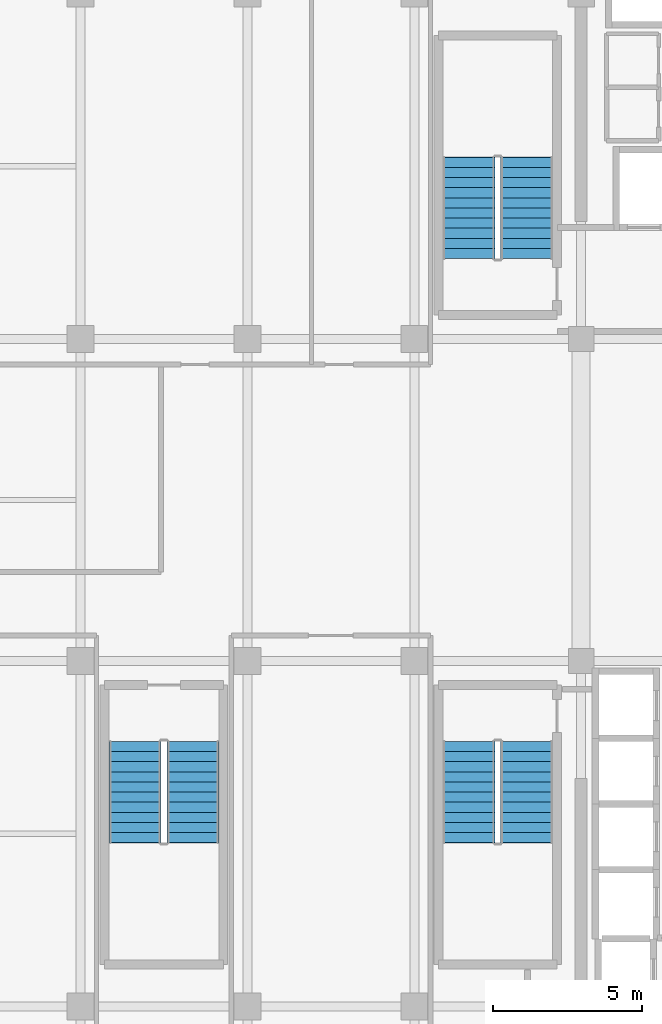
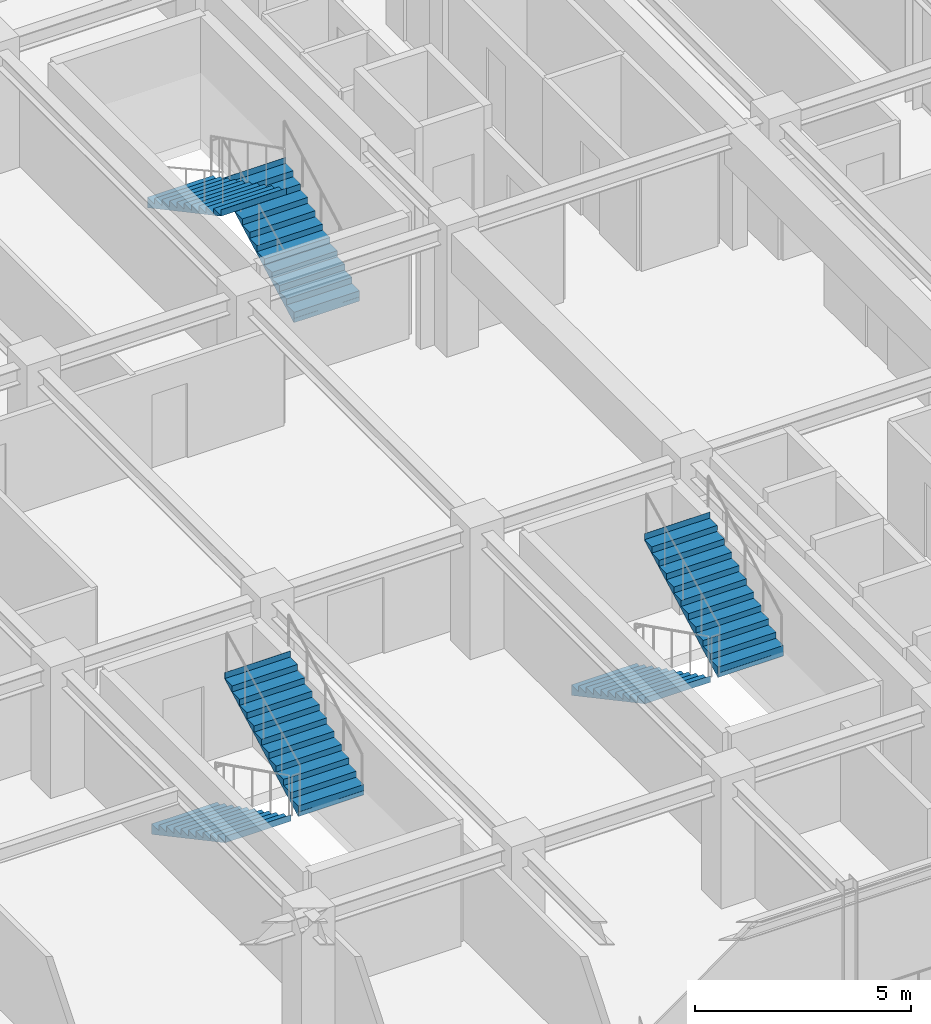
# One storey, part 27 of 32: 6 stair flights, 3 elements without a shape of their own.
"""IFC4 building model written with IfcOpenShell, lengths in metres."""

from ifc_helpers import new_model, si_unit, direction, frame, origin, place, context, subcontext, project, spatial, polyline, outline, extrude, source, transform, mapped, material, layer, layer_set, type_object, element, aggregate, save


model = new_model("IFC4")

# Units and contexts
model_context = context("Model", 3, precision=1e-05, world=origin(), true_north=direction((0.0, 1.0)))
body_context = subcontext(model_context, "Body", "Model", "MODEL_VIEW")
ifc_project = project(units=[si_unit("LENGTHUNIT", "METRE"), si_unit("AREAUNIT", "SQUARE_METRE"), si_unit("VOLUMEUNIT", "CUBIC_METRE"), si_unit("PLANEANGLEUNIT", "RADIAN"), si_unit("MASSUNIT", "GRAM", prefix="KILO")], contexts=[model_context])

# Site, building, storey
site_placement = place(None, origin())
site = spatial("IfcSite", under=ifc_project, at=site_placement, CompositionType="ELEMENT")
building_placement = place(site_placement, origin())
building = spatial("IfcBuilding", under=site, at=building_placement, Name="Nahalor Promenade Grand Hotel", CompositionType="ELEMENT")
storey_placement = place(building_placement, frame((0.0, 0.0, 266.300048828125)))
storey = spatial("IfcBuildingStorey", under=building, at=storey_placement, Name="L68", CompositionType="ELEMENT", Elevation=266.300048828125)

# Stair, stair flights
ifc_material = material(Name="Concrete B-50 (C40/50)", Category="concrete")
stair_type_1 = type_object("IfcStairType", Name="Stair-ST1", PredefinedType="HALF_TURN_STAIR", material=ifc_material)
stair_1_placement = place(storey_placement, origin())
stair_1 = element("IfcStair", 1, at=stair_1_placement, inside=storey, type_object=stair_type_1, Name="L68 ST1", PredefinedType="HALF_TURN_STAIR")
ifc_layer_1 = layer(ifc_material, 0.179931640625)
ifc_layer_set_1 = layer_set([ifc_layer_1], Name="Concrete B-50 (C40/50)")
stair_flight_type_1 = type_object("IfcStairFlightType", Name="Flight-ST1", PredefinedType="STRAIGHT", material=ifc_layer_set_1)
shared_shape_1 = source(origin(), body_context, "Body", "SweptSolid", [
    extrude(outline(polyline([(-0.00390625, -0.1201171875), (-0.00390625, 0.0), (0.0, 0.0), (0.0, 0.17041015625), (0.340087890625, 0.17041015625), (0.340087890625, 0.3408203125), (0.679931640625, 0.3408203125), (0.679931640625, 0.511474609375), (1.02001953125, 0.511474609375), (1.02001953125, 0.681884765625), (1.360107421875, 0.681884765625), (1.360107421875, 0.852294921875), (1.699951171875, 0.852294921875), (1.699951171875, 1.022705078125), (2.0400390625, 1.022705078125), (2.0400390625, 1.193115234375), (2.3798828125, 1.193115234375), (2.3798828125, 1.363525390625), (2.719970703125, 1.363525390625), (2.719970703125, 1.5341796875), (3.06005859375, 1.5341796875), (3.06005859375, 1.70458984375), (3.39990234375, 1.70458984375), (3.39990234375, 1.875), (3.404052734375, 1.875), (3.404052734375, 1.695068359375), (0.02001953125, -0.1201171875), (-0.00390625, -0.1201171875)])), frame((0.0, 0.875, 0.0), z_axis=(0.0, -1.0, 0.0), x_axis=(1.0, 0.0, 0.0)), (0.0, 0.0, 1.0), 1.75),
])
stair_flight_1_placement = place(storey_placement, frame((6.574951171875, 8.10009765625, 0.0), z_axis=(0.0, 0.0, 1.0), x_axis=(0.0, 1.0, 0.0)))
stair_flight_1 = element("IfcStairFlight", 2, at=stair_flight_1_placement, type_object=stair_flight_type_1, Name="ST1 flight 1", NumberOfRisers=11, NumberOfTreads=10, PredefinedType="STRAIGHT", RiserHeight=0.170454545, TreadLength=0.34, context=body_context, shape_type="MappedRepresentation", body=[
    mapped(shared_shape_1, transform((0.0, 0.0, 0.0), scale=1.0)),
])
stair_flight_2_placement = place(storey_placement, frame((4.625, 11.5, 1.875), z_axis=(0.0, 0.0, 1.0), x_axis=(0.0, -1.0, 0.0)))
stair_flight_2 = element("IfcStairFlight", 3, at=stair_flight_2_placement, type_object=stair_flight_type_1, Name="ST1 flight 2", NumberOfRisers=11, NumberOfTreads=10, PredefinedType="STRAIGHT", RiserHeight=0.170454545, TreadLength=0.34, context=body_context, shape_type="MappedRepresentation", body=[
    mapped(shared_shape_1, transform((0.0, 0.0, 0.0), scale=1.0)),
])
aggregate(stair_1, [stair_flight_1, stair_flight_2])

stair_type_2 = type_object("IfcStairType", Name="Stair-ST2", PredefinedType="HALF_TURN_STAIR", material=ifc_material)
stair_2_placement = place(storey_placement, origin())
stair_2 = element("IfcStair", 4, at=stair_2_placement, inside=storey, type_object=stair_type_2, Name="L68 ST2", PredefinedType="HALF_TURN_STAIR")
ifc_layer_2 = layer(ifc_material, 0.18994140625)
ifc_layer_set_2 = layer_set([ifc_layer_2], Name="Concrete B-50 (C40/50)")
stair_flight_type_2 = type_object("IfcStairFlightType", Name="Flight-ST2", PredefinedType="STRAIGHT", material=ifc_layer_set_2)
shared_shape_2 = source(origin(), body_context, "Body", "SweptSolid", [
    extrude(outline(polyline([(-0.00390625, -0.1201171875), (-0.00390625, 0.0), (0.0, 0.0), (0.0, 0.17041015625), (0.340087890625, 0.17041015625), (0.340087890625, 0.3408203125), (0.679931640625, 0.3408203125), (0.679931640625, 0.511474609375), (1.02001953125, 0.511474609375), (1.02001953125, 0.681884765625), (1.360107421875, 0.681884765625), (1.360107421875, 0.852294921875), (1.699951171875, 0.852294921875), (1.699951171875, 1.022705078125), (2.0400390625, 1.022705078125), (2.0400390625, 1.193115234375), (2.3798828125, 1.193115234375), (2.3798828125, 1.363525390625), (2.719970703125, 1.363525390625), (2.719970703125, 1.5341796875), (3.06005859375, 1.5341796875), (3.06005859375, 1.70458984375), (3.39990234375, 1.70458984375), (3.39990234375, 1.875), (3.404052734375, 1.875), (3.404052734375, 1.695068359375), (0.02001953125, -0.1201171875), (-0.00390625, -0.1201171875)])), frame((0.0, 0.875, 0.0), z_axis=(0.0, -1.0, 0.0), x_axis=(1.0, 0.0, 0.0)), (0.0, 0.0, 1.0), 1.75),
])
stair_flight_3_placement = place(storey_placement, frame((4.625, -8.10009765625, 0.0), z_axis=(0.0, 0.0, 1.0), x_axis=(0.0, -1.0, 0.0)))
stair_flight_3 = element("IfcStairFlight", 5, at=stair_flight_3_placement, type_object=stair_flight_type_2, Name="ST2 flight 1", NumberOfRisers=11, NumberOfTreads=10, PredefinedType="STRAIGHT", RiserHeight=0.170454545, TreadLength=0.34, context=body_context, shape_type="MappedRepresentation", body=[
    mapped(shared_shape_2, transform((0.0, 0.0, 0.0), scale=1.0)),
])
stair_flight_4_placement = place(storey_placement, frame((6.574951171875, -11.5, 1.875), z_axis=(0.0, 0.0, 1.0), x_axis=(0.0, 1.0, 0.0)))
stair_flight_4 = element("IfcStairFlight", 6, at=stair_flight_4_placement, type_object=stair_flight_type_2, Name="ST2 flight 2", NumberOfRisers=11, NumberOfTreads=10, PredefinedType="STRAIGHT", RiserHeight=0.170454545, TreadLength=0.34, context=body_context, shape_type="MappedRepresentation", body=[
    mapped(shared_shape_2, transform((0.0, 0.0, 0.0), scale=1.0)),
])
aggregate(stair_2, [stair_flight_3, stair_flight_4])

stair_type_3 = type_object("IfcStairType", Name="Stair-ST3", PredefinedType="HALF_TURN_STAIR", material=ifc_material)
stair_3_placement = place(storey_placement, origin())
stair_3 = element("IfcStair", 7, at=stair_3_placement, inside=storey, type_object=stair_type_3, Name="L68 ST3", PredefinedType="HALF_TURN_STAIR")
ifc_layer_3 = layer(ifc_material, 0.199951171875)
ifc_layer_set_3 = layer_set([ifc_layer_3], Name="Concrete B-50 (C40/50)")
stair_flight_type_3 = type_object("IfcStairFlightType", Name="Flight-ST3", PredefinedType="STRAIGHT", material=ifc_layer_set_3)
shared_shape_3 = source(origin(), body_context, "Body", "SweptSolid", [
    extrude(outline(polyline([(-0.00390625, -0.1201171875), (-0.00390625, 0.0), (0.0, 0.0), (0.0, 0.17041015625), (0.340087890625, 0.17041015625), (0.340087890625, 0.3408203125), (0.679931640625, 0.3408203125), (0.679931640625, 0.511474609375), (1.02001953125, 0.511474609375), (1.02001953125, 0.681884765625), (1.360107421875, 0.681884765625), (1.360107421875, 0.852294921875), (1.699951171875, 0.852294921875), (1.699951171875, 1.022705078125), (2.0400390625, 1.022705078125), (2.0400390625, 1.193115234375), (2.3798828125, 1.193115234375), (2.3798828125, 1.363525390625), (2.719970703125, 1.363525390625), (2.719970703125, 1.5341796875), (3.06005859375, 1.5341796875), (3.06005859375, 1.70458984375), (3.39990234375, 1.70458984375), (3.39990234375, 1.875), (3.404052734375, 1.875), (3.404052734375, 1.695068359375), (0.02001953125, -0.1201171875), (-0.00390625, -0.1201171875)])), frame((0.0, 0.875, 0.0), z_axis=(0.0, -1.0, 0.0), x_axis=(1.0, 0.0, 0.0)), (0.0, 0.0, 1.0), 1.75),
])
stair_flight_5_placement = place(storey_placement, frame((-6.574951171875, -8.10009765625, 0.0), z_axis=(0.0, 0.0, 1.0), x_axis=(0.0, -1.0, 0.0)))
stair_flight_5 = element("IfcStairFlight", 8, at=stair_flight_5_placement, type_object=stair_flight_type_3, Name="ST3 flight 1", NumberOfRisers=11, NumberOfTreads=10, PredefinedType="STRAIGHT", RiserHeight=0.170454545, TreadLength=0.34, context=body_context, shape_type="MappedRepresentation", body=[
    mapped(shared_shape_3, transform((0.0, 0.0, 0.0), scale=1.0)),
])
stair_flight_6_placement = place(storey_placement, frame((-4.625, -11.5, 1.875), z_axis=(0.0, 0.0, 1.0), x_axis=(0.0, 1.0, 0.0)))
stair_flight_6 = element("IfcStairFlight", 9, at=stair_flight_6_placement, type_object=stair_flight_type_3, Name="ST3 flight 2", NumberOfRisers=11, NumberOfTreads=10, PredefinedType="STRAIGHT", RiserHeight=0.170454545, TreadLength=0.34, context=body_context, shape_type="MappedRepresentation", body=[
    mapped(shared_shape_3, transform((0.0, 0.0, 0.0), scale=1.0)),
])
aggregate(stair_3, [stair_flight_5, stair_flight_6])

save(model, "model.ifc")
